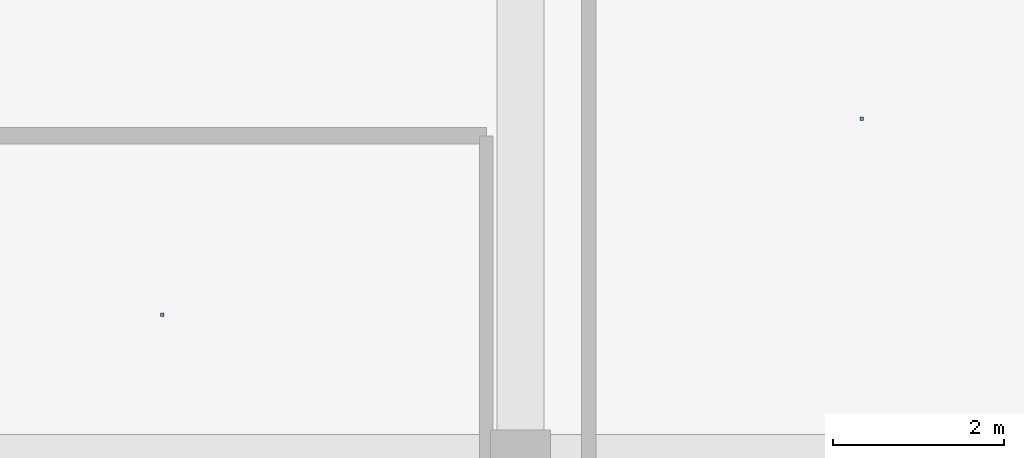
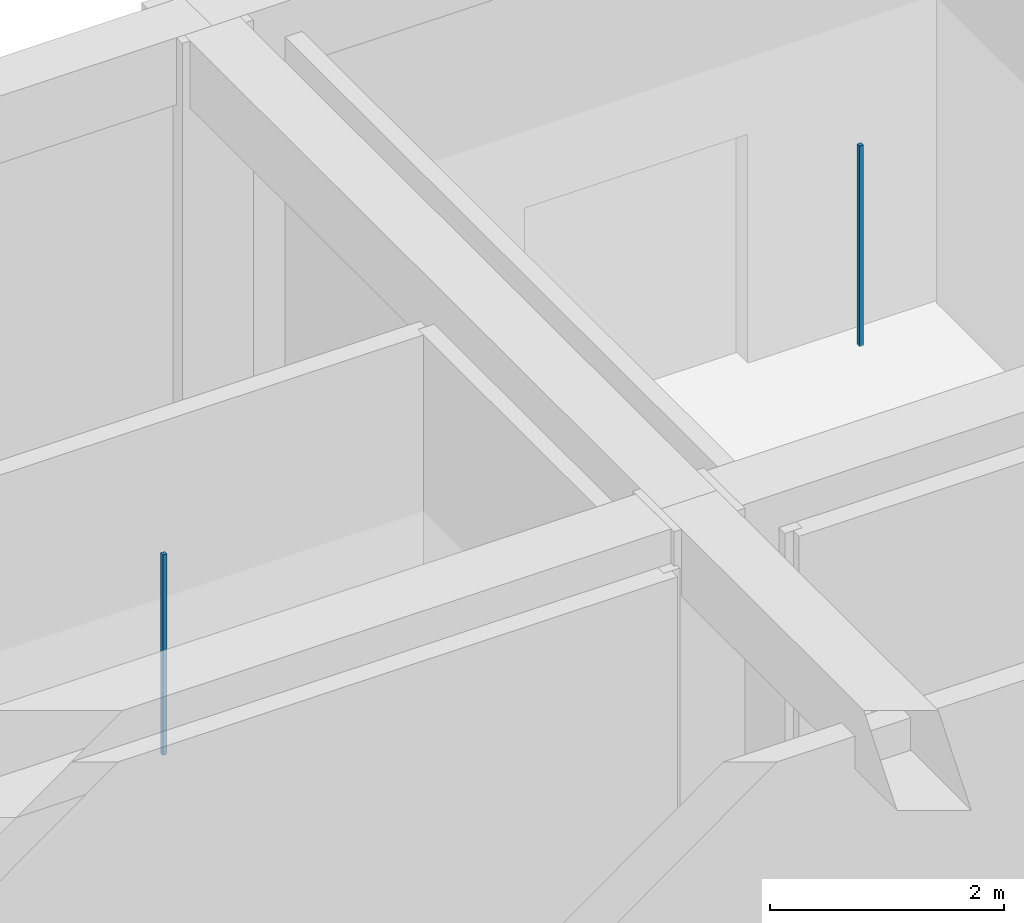
# One storey, part 138 of 167: 2 discrete accessories.
"""IFC4 building model written with IfcOpenShell, lengths in metres."""

from ifc_helpers import new_model, si_unit, direction, frame, origin, origin_2d, place, context, subcontext, project, spatial, rectangle, extrude, material, type_object, element, save


model = new_model("IFC4")

# Units and contexts
model_context = context("Model", 3, precision=1e-05, world=origin(), true_north=direction((0.0, 1.0)))
body_context = subcontext(model_context, "Body", "Model", "MODEL_VIEW")
ifc_project = project(units=[si_unit("LENGTHUNIT", "METRE"), si_unit("AREAUNIT", "SQUARE_METRE"), si_unit("VOLUMEUNIT", "CUBIC_METRE"), si_unit("PLANEANGLEUNIT", "RADIAN"), si_unit("MASSUNIT", "GRAM", prefix="KILO")], contexts=[model_context])

# Site, building, storey
site_placement = place(None, origin())
site = spatial("IfcSite", under=ifc_project, at=site_placement, CompositionType="ELEMENT")
building_placement = place(site_placement, origin())
building = spatial("IfcBuilding", under=site, at=building_placement, Name="Varncliffe General Hospital", CompositionType="ELEMENT")
storey_placement = place(building_placement, origin())
storey = spatial("IfcBuildingStorey", under=building, at=storey_placement, Name="L00", CompositionType="ELEMENT", Elevation=0.0)

# Discrete accessories
ifc_material = material(Name="Powder-coated hospital steel guardrail and handrail", Category="steel")
discrete_accessory_type = type_object("IfcDiscreteAccessoryType", Name="Suspended Ceiling Hanger Bracket CH01", PredefinedType="BRACKET", material=ifc_material)
for number, where, z_axis, x_axis, name in (
    (1, (147.0, 118.10009765625, 3.18994140625), (0.0, 0.0, 1.0), (1.0, 0.0, 0.0), "L00 Suspended Ceiling Hanger 14"),
    (2, (155.199951171875, 120.39990234375, 3.18994140625), (0.0, 0.0, 1.0), (1.0, 0.0, 0.0), "L00 Suspended Ceiling Hanger 99"),
):
    element("IfcDiscreteAccessory", number, at=place(storey_placement, frame(where, z_axis=z_axis, x_axis=x_axis)), inside=storey, type_object=discrete_accessory_type, Name=name, PredefinedType="BRACKET", context=body_context, shape_type="SweptSolid", body=[
        extrude(rectangle(XDim=0.0400390625, YDim=0.0400390625, at=origin_2d()), origin(), (0.0, 0.0, 1.0), 2.090087890625),
    ])

save(model, "model.ifc")
